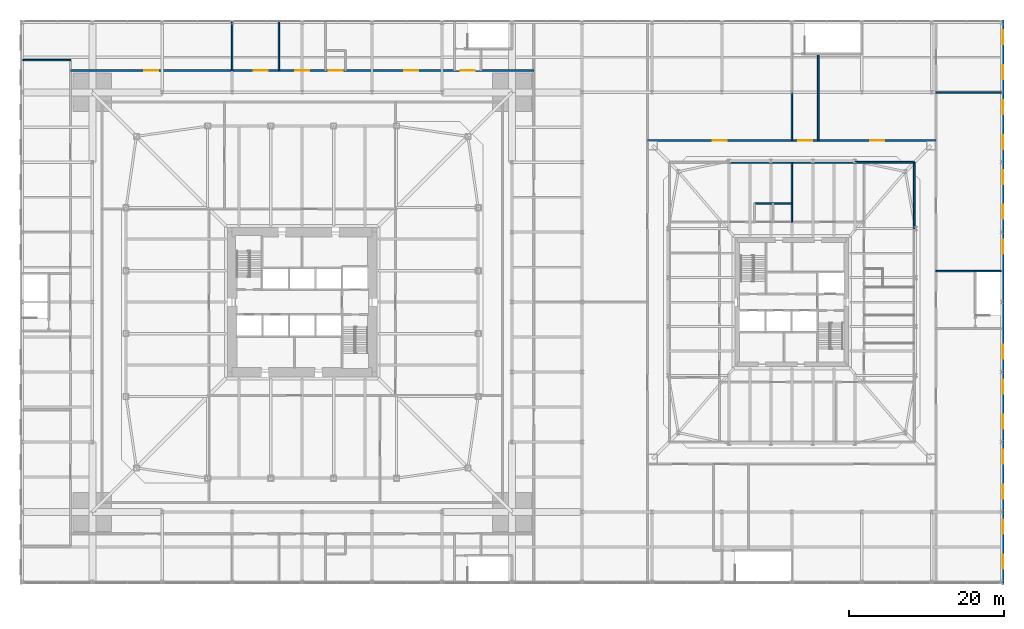
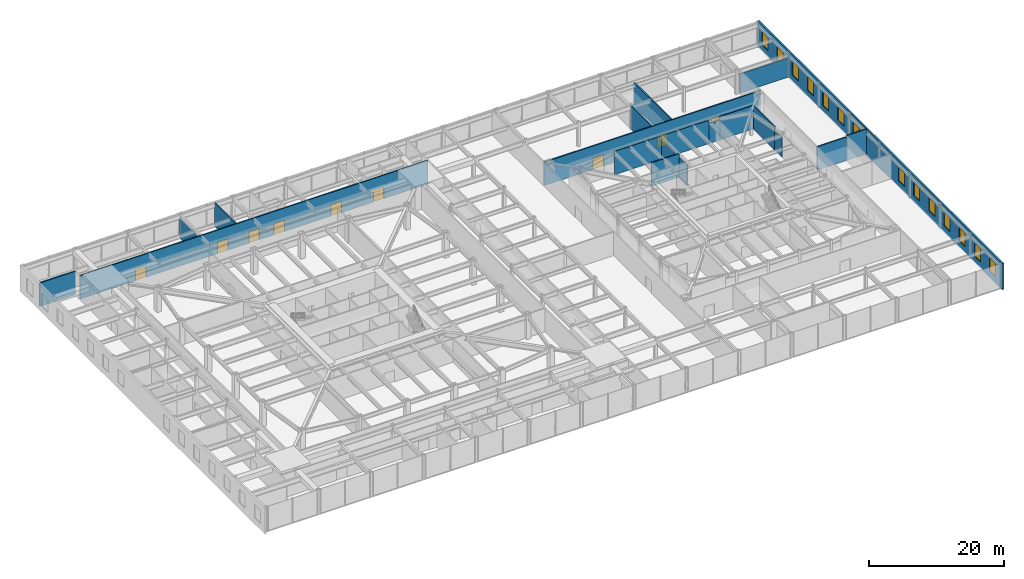
# One storey, part 26 of 30: 18 walls, 14 windows, 9 doors, 23 openings.
"""IFC4 building model written with IfcOpenShell, lengths in metres."""

from ifc_helpers import new_model, si_unit, direction, frame, frame_2d, origin, place, context, subcontext, project, spatial, rectangle, extrude, material, layer, layer_set, type_object, element, fill, save


model = new_model("IFC4")

# Units and contexts
model_context = context("Model", 3, precision=1e-05, world=origin(), true_north=direction((0.0, 1.0)))
body_context = subcontext(model_context, "Body", "Model", "MODEL_VIEW")
ifc_project = project(units=[si_unit("LENGTHUNIT", "METRE"), si_unit("AREAUNIT", "SQUARE_METRE"), si_unit("VOLUMEUNIT", "CUBIC_METRE"), si_unit("PLANEANGLEUNIT", "RADIAN"), si_unit("MASSUNIT", "GRAM", prefix="KILO")], contexts=[model_context])

# Site, building, storey
site_placement = place(None, origin())
site = spatial("IfcSite", under=ifc_project, at=site_placement, CompositionType="ELEMENT")
building_placement = place(site_placement, origin())
building = spatial("IfcBuilding", under=site, at=building_placement, Name="Iwan Alto Co-Living Towers", CompositionType="ELEMENT")
storey_placement = place(building_placement, frame((0.0, 0.0, 10.5)))
storey = spatial("IfcBuildingStorey", under=building, at=storey_placement, Name="L02", CompositionType="ELEMENT", Elevation=10.5)

# Wall, openings, windows
ifc_material_1 = material(Name="Fired clay brick facing", Category="masonry")
ifc_layer_1 = layer(ifc_material_1, 0.10009765625, Name="Brick facing", Category="Finish")
ifc_material_2 = material(Name="Concrete f'c 70 MPa", Category="concrete")
ifc_layer_2 = layer(ifc_material_2, 0.199951171875, Name="Reinforced concrete", Category="LoadBearing")
ifc_layer_set_1 = layer_set([ifc_layer_1, ifc_layer_2], Name="PODIUM BRICK WALL 300")
wall_type_1 = type_object("IfcWallType", Name="PODIUM BRICK WALL 300", PredefinedType="SOLIDWALL", material=ifc_layer_set_1)
wall_1_placement = place(storey_placement, frame((90.14990234375, -36.300048828125, -0.25), z_axis=(0.0, 0.0, 1.0), x_axis=(0.0, 1.0, 0.0)))
wall_1 = element("IfcWall", 1, at=wall_1_placement, inside=storey, type_object=wall_type_1, Name="Podium wall E L02", PredefinedType="SOLIDWALL", context=body_context, shape_type="SweptSolid", body=[
    extrude(rectangle(XDim=72.60009765625, YDim=0.300048828125, at=frame_2d((36.300048828125, 0.0))), origin(), (0.0, 0.0, 1.0), 4.75),
])
opening_1_placement = place(wall_1_placement, frame((2.0, 0.0, 1.14990234375)))
opening_1 = element("IfcOpeningElement", 2, at=opening_1_placement, cuts=wall_1, Name="Opening WN1", PredefinedType="OPENING", context=body_context, shape_type="SweptSolid", body=[
    extrude(rectangle(XDim=1.800048828125, YDim=2.39990234375, at=frame_2d((0.89990234375, 1.199951171875))), frame((0.0, 0.159912109375, 0.0), z_axis=(0.0, -1.0, 0.0), x_axis=(1.0, 0.0, 0.0)), (0.0, 0.0, 1.0), 0.320068359375),
])
opening_2_placement = place(wall_1_placement, frame((6.5, 0.0, 1.14990234375)))
opening_2 = element("IfcOpeningElement", 3, at=opening_2_placement, cuts=wall_1, Name="Opening WN1", PredefinedType="OPENING", context=body_context, shape_type="SweptSolid", body=[
    extrude(rectangle(XDim=1.800048828125, YDim=2.39990234375, at=frame_2d((0.89990234375, 1.199951171875))), frame((0.0, 0.159912109375, 0.0), z_axis=(0.0, -1.0, 0.0), x_axis=(1.0, 0.0, 0.0)), (0.0, 0.0, 1.0), 0.320068359375),
])
opening_3_placement = place(wall_1_placement, frame((11.0, 0.0, 1.14990234375)))
opening_3 = element("IfcOpeningElement", 4, at=opening_3_placement, cuts=wall_1, Name="Opening WN1", PredefinedType="OPENING", context=body_context, shape_type="SweptSolid", body=[
    extrude(rectangle(XDim=1.800048828125, YDim=2.39990234375, at=frame_2d((0.89990234375, 1.199951171875))), frame((0.0, 0.159912109375, 0.0), z_axis=(0.0, -1.0, 0.0), x_axis=(1.0, 0.0, 0.0)), (0.0, 0.0, 1.0), 0.320068359375),
])
opening_4_placement = place(wall_1_placement, frame((15.5, 0.0, 1.14990234375)))
opening_4 = element("IfcOpeningElement", 5, at=opening_4_placement, cuts=wall_1, Name="Opening WN1", PredefinedType="OPENING", context=body_context, shape_type="SweptSolid", body=[
    extrude(rectangle(XDim=1.800048828125, YDim=2.39990234375, at=frame_2d((0.89990234375, 1.199951171875))), frame((0.0, 0.159912109375, 0.0), z_axis=(0.0, -1.0, 0.0), x_axis=(1.0, 0.0, 0.0)), (0.0, 0.0, 1.0), 0.320068359375),
])
opening_5_placement = place(wall_1_placement, frame((20.0, 0.0, 1.14990234375)))
opening_5 = element("IfcOpeningElement", 6, at=opening_5_placement, cuts=wall_1, Name="Opening WN1", PredefinedType="OPENING", context=body_context, shape_type="SweptSolid", body=[
    extrude(rectangle(XDim=1.800048828125, YDim=2.39990234375, at=frame_2d((0.89990234375, 1.199951171875))), frame((0.0, 0.159912109375, 0.0), z_axis=(0.0, -1.0, 0.0), x_axis=(1.0, 0.0, 0.0)), (0.0, 0.0, 1.0), 0.320068359375),
])
opening_6_placement = place(wall_1_placement, frame((24.5, 0.0, 1.14990234375)))
opening_6 = element("IfcOpeningElement", 7, at=opening_6_placement, cuts=wall_1, Name="Opening WN1", PredefinedType="OPENING", context=body_context, shape_type="SweptSolid", body=[
    extrude(rectangle(XDim=1.800048828125, YDim=2.39990234375, at=frame_2d((0.89990234375, 1.199951171875))), frame((0.0, 0.159912109375, 0.0), z_axis=(0.0, -1.0, 0.0), x_axis=(1.0, 0.0, 0.0)), (0.0, 0.0, 1.0), 0.320068359375),
])
opening_7_placement = place(wall_1_placement, frame((29.0, 0.0, 1.14990234375)))
opening_7 = element("IfcOpeningElement", 8, at=opening_7_placement, cuts=wall_1, Name="Opening WN1", PredefinedType="OPENING", context=body_context, shape_type="SweptSolid", body=[
    extrude(rectangle(XDim=1.800048828125, YDim=2.39990234375, at=frame_2d((0.89990234375, 1.199951171875))), frame((0.0, 0.159912109375, 0.0), z_axis=(0.0, -1.0, 0.0), x_axis=(1.0, 0.0, 0.0)), (0.0, 0.0, 1.0), 0.320068359375),
])
opening_8_placement = place(wall_1_placement, frame((42.5, 0.0, 1.14990234375)))
opening_8 = element("IfcOpeningElement", 9, at=opening_8_placement, cuts=wall_1, Name="Opening WN1", PredefinedType="OPENING", context=body_context, shape_type="SweptSolid", body=[
    extrude(rectangle(XDim=1.800048828125, YDim=2.39990234375, at=frame_2d((0.89990234375, 1.199951171875))), frame((0.0, 0.159912109375, 0.0), z_axis=(0.0, -1.0, 0.0), x_axis=(1.0, 0.0, 0.0)), (0.0, 0.0, 1.0), 0.320068359375),
])
opening_9_placement = place(wall_1_placement, frame((47.0, 0.0, 1.14990234375)))
opening_9 = element("IfcOpeningElement", 10, at=opening_9_placement, cuts=wall_1, Name="Opening WN1", PredefinedType="OPENING", context=body_context, shape_type="SweptSolid", body=[
    extrude(rectangle(XDim=1.800048828125, YDim=2.39990234375, at=frame_2d((0.89990234375, 1.199951171875))), frame((0.0, 0.159912109375, 0.0), z_axis=(0.0, -1.0, 0.0), x_axis=(1.0, 0.0, 0.0)), (0.0, 0.0, 1.0), 0.320068359375),
])
opening_10_placement = place(wall_1_placement, frame((51.5, 0.0, 1.14990234375)))
opening_10 = element("IfcOpeningElement", 11, at=opening_10_placement, cuts=wall_1, Name="Opening WN1", PredefinedType="OPENING", context=body_context, shape_type="SweptSolid", body=[
    extrude(rectangle(XDim=1.800048828125, YDim=2.39990234375, at=frame_2d((0.89990234375, 1.199951171875))), frame((0.0, 0.159912109375, 0.0), z_axis=(0.0, -1.0, 0.0), x_axis=(1.0, 0.0, 0.0)), (0.0, 0.0, 1.0), 0.320068359375),
])
opening_11_placement = place(wall_1_placement, frame((56.0, 0.0, 1.14990234375)))
opening_11 = element("IfcOpeningElement", 12, at=opening_11_placement, cuts=wall_1, Name="Opening WN1", PredefinedType="OPENING", context=body_context, shape_type="SweptSolid", body=[
    extrude(rectangle(XDim=1.800048828125, YDim=2.39990234375, at=frame_2d((0.89990234375, 1.199951171875))), frame((0.0, 0.159912109375, 0.0), z_axis=(0.0, -1.0, 0.0), x_axis=(1.0, 0.0, 0.0)), (0.0, 0.0, 1.0), 0.320068359375),
])
opening_12_placement = place(wall_1_placement, frame((60.5, 0.0, 1.14990234375)))
opening_12 = element("IfcOpeningElement", 13, at=opening_12_placement, cuts=wall_1, Name="Opening WN1", PredefinedType="OPENING", context=body_context, shape_type="SweptSolid", body=[
    extrude(rectangle(XDim=1.800048828125, YDim=2.39990234375, at=frame_2d((0.89990234375, 1.199951171875))), frame((0.0, 0.159912109375, 0.0), z_axis=(0.0, -1.0, 0.0), x_axis=(1.0, 0.0, 0.0)), (0.0, 0.0, 1.0), 0.320068359375),
])
opening_13_placement = place(wall_1_placement, frame((65.0, 0.0, 1.14990234375)))
opening_13 = element("IfcOpeningElement", 14, at=opening_13_placement, cuts=wall_1, Name="Opening WN1", PredefinedType="OPENING", context=body_context, shape_type="SweptSolid", body=[
    extrude(rectangle(XDim=1.800048828125, YDim=2.39990234375, at=frame_2d((0.89990234375, 1.199951171875))), frame((0.0, 0.159912109375, 0.0), z_axis=(0.0, -1.0, 0.0), x_axis=(1.0, 0.0, 0.0)), (0.0, 0.0, 1.0), 0.320068359375),
])
opening_14_placement = place(wall_1_placement, frame((69.5, 0.0, 1.14990234375)))
opening_14 = element("IfcOpeningElement", 15, at=opening_14_placement, cuts=wall_1, Name="Opening WN1", PredefinedType="OPENING", context=body_context, shape_type="SweptSolid", body=[
    extrude(rectangle(XDim=1.800048828125, YDim=2.39990234375, at=frame_2d((0.89990234375, 1.199951171875))), frame((0.0, 0.159912109375, 0.0), z_axis=(0.0, -1.0, 0.0), x_axis=(1.0, 0.0, 0.0)), (0.0, 0.0, 1.0), 0.320068359375),
])
ifc_material_3 = material(Name="Bronze aluminium window frame", Category="aluminium")
window_type = type_object("IfcWindowType", Name="WN1 PODIUM WINDOW 1800X2400", PartitioningType="SINGLE_PANEL", PredefinedType="WINDOW", material=ifc_material_3)
window_1_placement = place(opening_1_placement, origin())
window_1 = element("IfcWindow", 16, at=window_1_placement, inside=storey, type_object=window_type, Name="Podium window", OverallHeight=2.39990234375, OverallWidth=1.800048828125, PartitioningType="SINGLE_PANEL", PredefinedType="WINDOW", context=body_context, shape_type="SweptSolid", body=[
    extrude(rectangle(XDim=1.800048828125, YDim=2.39990234375, at=frame_2d((0.89990234375, 1.199951171875))), frame((0.0, 0.030029296875, 0.0), z_axis=(0.0, -1.0, 0.0), x_axis=(1.0, 0.0, 0.0)), (0.0, 0.0, 1.0), 0.06005859375),
])
fill(opening_1, window_1)
window_2_placement = place(opening_2_placement, origin())
window_2 = element("IfcWindow", 17, at=window_2_placement, inside=storey, type_object=window_type, Name="Podium window", OverallHeight=2.39990234375, OverallWidth=1.800048828125, PartitioningType="SINGLE_PANEL", PredefinedType="WINDOW", context=body_context, shape_type="SweptSolid", body=[
    extrude(rectangle(XDim=1.800048828125, YDim=2.39990234375, at=frame_2d((0.89990234375, 1.199951171875))), frame((0.0, 0.030029296875, 0.0), z_axis=(0.0, -1.0, 0.0), x_axis=(1.0, 0.0, 0.0)), (0.0, 0.0, 1.0), 0.06005859375),
])
fill(opening_2, window_2)
window_3_placement = place(opening_3_placement, origin())
window_3 = element("IfcWindow", 18, at=window_3_placement, inside=storey, type_object=window_type, Name="Podium window", OverallHeight=2.39990234375, OverallWidth=1.800048828125, PartitioningType="SINGLE_PANEL", PredefinedType="WINDOW", context=body_context, shape_type="SweptSolid", body=[
    extrude(rectangle(XDim=1.800048828125, YDim=2.39990234375, at=frame_2d((0.89990234375, 1.199951171875))), frame((0.0, 0.030029296875, 0.0), z_axis=(0.0, -1.0, 0.0), x_axis=(1.0, 0.0, 0.0)), (0.0, 0.0, 1.0), 0.06005859375),
])
fill(opening_3, window_3)
window_4_placement = place(opening_4_placement, origin())
window_4 = element("IfcWindow", 19, at=window_4_placement, inside=storey, type_object=window_type, Name="Podium window", OverallHeight=2.39990234375, OverallWidth=1.800048828125, PartitioningType="SINGLE_PANEL", PredefinedType="WINDOW", context=body_context, shape_type="SweptSolid", body=[
    extrude(rectangle(XDim=1.800048828125, YDim=2.39990234375, at=frame_2d((0.89990234375, 1.199951171875))), frame((0.0, 0.030029296875, 0.0), z_axis=(0.0, -1.0, 0.0), x_axis=(1.0, 0.0, 0.0)), (0.0, 0.0, 1.0), 0.06005859375),
])
fill(opening_4, window_4)
window_5_placement = place(opening_5_placement, origin())
window_5 = element("IfcWindow", 20, at=window_5_placement, inside=storey, type_object=window_type, Name="Podium window", OverallHeight=2.39990234375, OverallWidth=1.800048828125, PartitioningType="SINGLE_PANEL", PredefinedType="WINDOW", context=body_context, shape_type="SweptSolid", body=[
    extrude(rectangle(XDim=1.800048828125, YDim=2.39990234375, at=frame_2d((0.89990234375, 1.199951171875))), frame((0.0, 0.030029296875, 0.0), z_axis=(0.0, -1.0, 0.0), x_axis=(1.0, 0.0, 0.0)), (0.0, 0.0, 1.0), 0.06005859375),
])
fill(opening_5, window_5)
window_6_placement = place(opening_6_placement, origin())
window_6 = element("IfcWindow", 21, at=window_6_placement, inside=storey, type_object=window_type, Name="Podium window", OverallHeight=2.39990234375, OverallWidth=1.800048828125, PartitioningType="SINGLE_PANEL", PredefinedType="WINDOW", context=body_context, shape_type="SweptSolid", body=[
    extrude(rectangle(XDim=1.800048828125, YDim=2.39990234375, at=frame_2d((0.89990234375, 1.199951171875))), frame((0.0, 0.030029296875, 0.0), z_axis=(0.0, -1.0, 0.0), x_axis=(1.0, 0.0, 0.0)), (0.0, 0.0, 1.0), 0.06005859375),
])
fill(opening_6, window_6)
window_7_placement = place(opening_7_placement, origin())
window_7 = element("IfcWindow", 22, at=window_7_placement, inside=storey, type_object=window_type, Name="Podium window", OverallHeight=2.39990234375, OverallWidth=1.800048828125, PartitioningType="SINGLE_PANEL", PredefinedType="WINDOW", context=body_context, shape_type="SweptSolid", body=[
    extrude(rectangle(XDim=1.800048828125, YDim=2.39990234375, at=frame_2d((0.89990234375, 1.199951171875))), frame((0.0, 0.030029296875, 0.0), z_axis=(0.0, -1.0, 0.0), x_axis=(1.0, 0.0, 0.0)), (0.0, 0.0, 1.0), 0.06005859375),
])
fill(opening_7, window_7)
window_8_placement = place(opening_8_placement, origin())
window_8 = element("IfcWindow", 23, at=window_8_placement, inside=storey, type_object=window_type, Name="Podium window", OverallHeight=2.39990234375, OverallWidth=1.800048828125, PartitioningType="SINGLE_PANEL", PredefinedType="WINDOW", context=body_context, shape_type="SweptSolid", body=[
    extrude(rectangle(XDim=1.800048828125, YDim=2.39990234375, at=frame_2d((0.89990234375, 1.199951171875))), frame((0.0, 0.030029296875, 0.0), z_axis=(0.0, -1.0, 0.0), x_axis=(1.0, 0.0, 0.0)), (0.0, 0.0, 1.0), 0.06005859375),
])
fill(opening_8, window_8)
window_9_placement = place(opening_9_placement, origin())
window_9 = element("IfcWindow", 24, at=window_9_placement, inside=storey, type_object=window_type, Name="Podium window", OverallHeight=2.39990234375, OverallWidth=1.800048828125, PartitioningType="SINGLE_PANEL", PredefinedType="WINDOW", context=body_context, shape_type="SweptSolid", body=[
    extrude(rectangle(XDim=1.800048828125, YDim=2.39990234375, at=frame_2d((0.89990234375, 1.199951171875))), frame((0.0, 0.030029296875, 0.0), z_axis=(0.0, -1.0, 0.0), x_axis=(1.0, 0.0, 0.0)), (0.0, 0.0, 1.0), 0.06005859375),
])
fill(opening_9, window_9)
window_10_placement = place(opening_10_placement, origin())
window_10 = element("IfcWindow", 25, at=window_10_placement, inside=storey, type_object=window_type, Name="Podium window", OverallHeight=2.39990234375, OverallWidth=1.800048828125, PartitioningType="SINGLE_PANEL", PredefinedType="WINDOW", context=body_context, shape_type="SweptSolid", body=[
    extrude(rectangle(XDim=1.800048828125, YDim=2.39990234375, at=frame_2d((0.89990234375, 1.199951171875))), frame((0.0, 0.030029296875, 0.0), z_axis=(0.0, -1.0, 0.0), x_axis=(1.0, 0.0, 0.0)), (0.0, 0.0, 1.0), 0.06005859375),
])
fill(opening_10, window_10)
window_11_placement = place(opening_11_placement, origin())
window_11 = element("IfcWindow", 26, at=window_11_placement, inside=storey, type_object=window_type, Name="Podium window", OverallHeight=2.39990234375, OverallWidth=1.800048828125, PartitioningType="SINGLE_PANEL", PredefinedType="WINDOW", context=body_context, shape_type="SweptSolid", body=[
    extrude(rectangle(XDim=1.800048828125, YDim=2.39990234375, at=frame_2d((0.89990234375, 1.199951171875))), frame((0.0, 0.030029296875, 0.0), z_axis=(0.0, -1.0, 0.0), x_axis=(1.0, 0.0, 0.0)), (0.0, 0.0, 1.0), 0.06005859375),
])
fill(opening_11, window_11)
window_12_placement = place(opening_12_placement, origin())
window_12 = element("IfcWindow", 27, at=window_12_placement, inside=storey, type_object=window_type, Name="Podium window", OverallHeight=2.39990234375, OverallWidth=1.800048828125, PartitioningType="SINGLE_PANEL", PredefinedType="WINDOW", context=body_context, shape_type="SweptSolid", body=[
    extrude(rectangle(XDim=1.800048828125, YDim=2.39990234375, at=frame_2d((0.89990234375, 1.199951171875))), frame((0.0, 0.030029296875, 0.0), z_axis=(0.0, -1.0, 0.0), x_axis=(1.0, 0.0, 0.0)), (0.0, 0.0, 1.0), 0.06005859375),
])
fill(opening_12, window_12)
window_13_placement = place(opening_13_placement, origin())
window_13 = element("IfcWindow", 28, at=window_13_placement, inside=storey, type_object=window_type, Name="Podium window", OverallHeight=2.39990234375, OverallWidth=1.800048828125, PartitioningType="SINGLE_PANEL", PredefinedType="WINDOW", context=body_context, shape_type="SweptSolid", body=[
    extrude(rectangle(XDim=1.800048828125, YDim=2.39990234375, at=frame_2d((0.89990234375, 1.199951171875))), frame((0.0, 0.030029296875, 0.0), z_axis=(0.0, -1.0, 0.0), x_axis=(1.0, 0.0, 0.0)), (0.0, 0.0, 1.0), 0.06005859375),
])
fill(opening_13, window_13)
window_14_placement = place(opening_14_placement, origin())
window_14 = element("IfcWindow", 29, at=window_14_placement, inside=storey, type_object=window_type, Name="Podium window", OverallHeight=2.39990234375, OverallWidth=1.800048828125, PartitioningType="SINGLE_PANEL", PredefinedType="WINDOW", context=body_context, shape_type="SweptSolid", body=[
    extrude(rectangle(XDim=1.800048828125, YDim=2.39990234375, at=frame_2d((0.89990234375, 1.199951171875))), frame((0.0, 0.030029296875, 0.0), z_axis=(0.0, -1.0, 0.0), x_axis=(1.0, 0.0, 0.0)), (0.0, 0.0, 1.0), 0.06005859375),
])
fill(opening_14, window_14)

# Walls
ifc_material_4 = material(Name="Concrete block masonry f*p 10 MPa", Category="masonry")
ifc_layer_3 = layer(ifc_material_4, 0.199951171875)
ifc_layer_set_2 = layer_set([ifc_layer_3], Name="PODIUM INTERNAL WALL 200")
wall_type_2 = type_object("IfcWallType", Name="PODIUM INTERNAL WALL 200", PredefinedType="SOLIDWALL", material=ifc_layer_set_2)
wall_2_placement = place(storey_placement, frame((81.550048828125, 4.0, 0.0), z_axis=(0.0, 0.0, 1.0), x_axis=(1.0, 0.0, 0.0)))
element("IfcWall", 30, at=wall_2_placement, inside=storey, type_object=wall_type_2, Name="Partition L02", PredefinedType="SOLIDWALL", context=body_context, shape_type="SweptSolid", body=[
    extrude(rectangle(XDim=5.050048828125, YDim=0.199951171875, at=frame_2d((2.52490234375, 0.0))), origin(), (0.0, 0.0, 1.0), 4.25),
])
wall_3_placement = place(storey_placement, frame((58.199951171875, 12.699951171875, 0.0), z_axis=(0.0, 0.0, 1.0), x_axis=(1.0, 0.0, 0.0)))
element("IfcWall", 31, at=wall_3_placement, inside=storey, type_object=wall_type_2, Name="Partition L02", PredefinedType="SOLIDWALL", context=body_context, shape_type="SweptSolid", body=[
    extrude(rectangle(XDim=4.800048828125, YDim=0.199951171875, at=frame_2d((2.39990234375, 0.0))), origin(), (0.0, 0.0, 1.0), 4.25),
])

# Wall, openings, doors
wall_4_placement = place(storey_placement, frame((44.449951171875, 20.800048828125, 0.0), z_axis=(0.0, 0.0, 1.0), x_axis=(1.0, 0.0, 0.0)))
wall_4 = element("IfcWall", 32, at=wall_4_placement, inside=storey, type_object=wall_type_2, Name="Partition L02", PredefinedType="SOLIDWALL", context=body_context, shape_type="SweptSolid", body=[
    extrude(rectangle(XDim=37.10009765625, YDim=0.199951171875, at=frame_2d((18.550048828125, 0.0))), origin(), (0.0, 0.0, 1.0), 4.25),
])
opening_15_placement = place(wall_4_placement, frame((8.375, 0.0, 0.0)))
opening_15 = element("IfcOpeningElement", 33, at=opening_15_placement, cuts=wall_4, Name="Opening D9", PredefinedType="OPENING", context=body_context, shape_type="SweptSolid", body=[
    extrude(rectangle(XDim=1.800048828125, YDim=2.10009765625, at=frame_2d((0.89990234375, 1.050048828125))), frame((0.0, 0.10986328125, 0.0), z_axis=(0.0, -1.0, 0.0), x_axis=(1.0, 0.0, 0.0)), (0.0, 0.0, 1.0), 0.219970703125),
])
opening_16_placement = place(wall_4_placement, frame((28.625, 0.0, 0.0)))
opening_16 = element("IfcOpeningElement", 34, at=opening_16_placement, cuts=wall_4, Name="Opening D9", PredefinedType="OPENING", context=body_context, shape_type="SweptSolid", body=[
    extrude(rectangle(XDim=1.800048828125, YDim=2.10009765625, at=frame_2d((0.89990234375, 1.050048828125))), frame((0.0, 0.10986328125, 0.0), z_axis=(0.0, -1.0, 0.0), x_axis=(1.0, 0.0, 0.0)), (0.0, 0.0, 1.0), 0.219970703125),
])
opening_17_placement = place(wall_4_placement, frame((19.35009765625, 0.0, 0.0)))
opening_17 = element("IfcOpeningElement", 35, at=opening_17_placement, cuts=wall_4, Name="Opening D9", PredefinedType="OPENING", context=body_context, shape_type="SweptSolid", body=[
    extrude(rectangle(XDim=1.800048828125, YDim=2.10009765625, at=frame_2d((0.89990234375, 1.050048828125))), frame((0.0, 0.10986328125, 0.0), z_axis=(0.0, -1.0, 0.0), x_axis=(1.0, 0.0, 0.0)), (0.0, 0.0, 1.0), 0.219970703125),
])
ifc_material_5 = material(Name="Steel frame with timber leaf", Category="steel")
door_type = type_object("IfcDoorType", Name="LOUNGE DOOR FD30S 1800X2100", OperationType="DOUBLE_DOOR_SINGLE_SWING", PredefinedType="DOOR", material=ifc_material_5)
door_1_placement = place(opening_15_placement, origin())
door_1 = element("IfcDoor", 36, at=door_1_placement, inside=storey, type_object=door_type, Name="Residents' dining room door L02", OperationType="DOUBLE_DOOR_SINGLE_SWING", OverallHeight=2.10009765625, OverallWidth=1.800048828125, PredefinedType="DOOR", context=body_context, shape_type="SweptSolid", body=[
    extrude(rectangle(XDim=1.800048828125, YDim=2.10009765625, at=frame_2d((0.89990234375, 1.050048828125))), frame((0.0, 0.02490234375, 0.0), z_axis=(0.0, -1.0, 0.0), x_axis=(1.0, 0.0, 0.0)), (0.0, 0.0, 1.0), 0.050048828125),
])
fill(opening_15, door_1)
door_2_placement = place(opening_16_placement, origin())
door_2 = element("IfcDoor", 37, at=door_2_placement, inside=storey, type_object=door_type, Name="Gym door L02", OperationType="DOUBLE_DOOR_SINGLE_SWING", OverallHeight=2.10009765625, OverallWidth=1.800048828125, PredefinedType="DOOR", context=body_context, shape_type="SweptSolid", body=[
    extrude(rectangle(XDim=1.800048828125, YDim=2.10009765625, at=frame_2d((0.89990234375, 1.050048828125))), frame((0.0, 0.02490234375, 0.0), z_axis=(0.0, -1.0, 0.0), x_axis=(1.0, 0.0, 0.0)), (0.0, 0.0, 1.0), 0.050048828125),
])
fill(opening_16, door_2)
door_3_placement = place(opening_17_placement, origin())
door_3 = element("IfcDoor", 38, at=door_3_placement, inside=storey, type_object=door_type, Name="Stair lobby door L02", OperationType="DOUBLE_DOOR_SINGLE_SWING", OverallHeight=2.10009765625, OverallWidth=1.800048828125, PredefinedType="DOOR", context=body_context, shape_type="SweptSolid", body=[
    extrude(rectangle(XDim=1.800048828125, YDim=2.10009765625, at=frame_2d((0.89990234375, 1.050048828125))), frame((0.0, 0.02490234375, 0.0), z_axis=(0.0, -1.0, 0.0), x_axis=(1.0, 0.0, 0.0)), (0.0, 0.0, 1.0), 0.050048828125),
])
fill(opening_17, door_3)

# Wall
wall_5_placement = place(storey_placement, frame((81.550048828125, 27.0, 0.0), z_axis=(0.0, 0.0, 1.0), x_axis=(1.0, 0.0, 0.0)))
element("IfcWall", 39, at=wall_5_placement, inside=storey, type_object=wall_type_2, Name="Partition L02", PredefinedType="SOLIDWALL", context=body_context, shape_type="SweptSolid", body=[
    extrude(rectangle(XDim=8.389892578125, YDim=0.199951171875, at=frame_2d((4.19482421875, 0.0))), origin(), (0.0, 0.0, 1.0), 3.48046875),
])

# Wall, openings, doors
wall_6_placement = place(storey_placement, frame((-29.800048828125, 29.800048828125, 0.0), z_axis=(0.0, 0.0, 1.0), x_axis=(1.0, 0.0, 0.0)))
wall_6 = element("IfcWall", 40, at=wall_6_placement, inside=storey, type_object=wall_type_2, Name="Partition L02", PredefinedType="SOLIDWALL", context=body_context, shape_type="SweptSolid", body=[
    extrude(rectangle(XDim=59.60009765625, YDim=0.199951171875, at=frame_2d((29.800048828125, 0.0))), origin(), (0.0, 0.0, 1.0), 4.25),
])
opening_18_placement = place(wall_6_placement, frame((9.5, 0.0, 0.0)))
opening_18 = element("IfcOpeningElement", 41, at=opening_18_placement, cuts=wall_6, Name="Opening D9", PredefinedType="OPENING", context=body_context, shape_type="SweptSolid", body=[
    extrude(rectangle(XDim=1.800048828125, YDim=2.10009765625, at=frame_2d((0.89990234375, 1.050048828125))), frame((0.0, 0.10986328125, 0.0), z_axis=(0.0, -1.0, 0.0), x_axis=(1.0, 0.0, 0.0)), (0.0, 0.0, 1.0), 0.219970703125),
])
opening_19_placement = place(wall_6_placement, frame((23.550048828125, 0.0, 0.0)))
opening_19 = element("IfcOpeningElement", 42, at=opening_19_placement, cuts=wall_6, Name="Opening D9", PredefinedType="OPENING", context=body_context, shape_type="SweptSolid", body=[
    extrude(rectangle(XDim=1.800048828125, YDim=2.10009765625, at=frame_2d((0.89990234375, 1.050048828125))), frame((0.0, 0.10986328125, 0.0), z_axis=(0.0, -1.0, 0.0), x_axis=(1.0, 0.0, 0.0)), (0.0, 0.0, 1.0), 0.219970703125),
])
opening_20_placement = place(wall_6_placement, frame((28.89990234375, 0.0, 0.0)))
opening_20 = element("IfcOpeningElement", 43, at=opening_20_placement, cuts=wall_6, Name="Opening D9", PredefinedType="OPENING", context=body_context, shape_type="SweptSolid", body=[
    extrude(rectangle(XDim=1.800048828125, YDim=2.10009765625, at=frame_2d((0.89990234375, 1.050048828125))), frame((0.0, 0.10986328125, 0.0), z_axis=(0.0, -1.0, 0.0), x_axis=(1.0, 0.0, 0.0)), (0.0, 0.0, 1.0), 0.219970703125),
])
opening_21_placement = place(wall_6_placement, frame((33.199951171875, 0.0, 0.0)))
opening_21 = element("IfcOpeningElement", 44, at=opening_21_placement, cuts=wall_6, Name="Opening D9", PredefinedType="OPENING", context=body_context, shape_type="SweptSolid", body=[
    extrude(rectangle(XDim=1.800048828125, YDim=2.10009765625, at=frame_2d((0.89990234375, 1.050048828125))), frame((0.0, 0.10986328125, 0.0), z_axis=(0.0, -1.0, 0.0), x_axis=(1.0, 0.0, 0.0)), (0.0, 0.0, 1.0), 0.219970703125),
])
opening_22_placement = place(wall_6_placement, frame((42.949951171875, 0.0, 0.0)))
opening_22 = element("IfcOpeningElement", 45, at=opening_22_placement, cuts=wall_6, Name="Opening D9", PredefinedType="OPENING", context=body_context, shape_type="SweptSolid", body=[
    extrude(rectangle(XDim=1.800048828125, YDim=2.10009765625, at=frame_2d((0.89990234375, 1.050048828125))), frame((0.0, 0.10986328125, 0.0), z_axis=(0.0, -1.0, 0.0), x_axis=(1.0, 0.0, 0.0)), (0.0, 0.0, 1.0), 0.219970703125),
])
opening_23_placement = place(wall_6_placement, frame((50.199951171875, 0.0, 0.0)))
opening_23 = element("IfcOpeningElement", 46, at=opening_23_placement, cuts=wall_6, Name="Opening D9", PredefinedType="OPENING", context=body_context, shape_type="SweptSolid", body=[
    extrude(rectangle(XDim=1.800048828125, YDim=2.10009765625, at=frame_2d((0.89990234375, 1.050048828125))), frame((0.0, 0.10986328125, 0.0), z_axis=(0.0, -1.0, 0.0), x_axis=(1.0, 0.0, 0.0)), (0.0, 0.0, 1.0), 0.219970703125),
])
door_4_placement = place(opening_18_placement, origin())
door_4 = element("IfcDoor", 47, at=door_4_placement, inside=storey, type_object=door_type, Name="Seminar room door L02", OperationType="DOUBLE_DOOR_SINGLE_SWING", OverallHeight=2.10009765625, OverallWidth=1.800048828125, PredefinedType="DOOR", context=body_context, shape_type="SweptSolid", body=[
    extrude(rectangle(XDim=1.800048828125, YDim=2.10009765625, at=frame_2d((0.89990234375, 1.050048828125))), frame((0.0, 0.02490234375, 0.0), z_axis=(0.0, -1.0, 0.0), x_axis=(1.0, 0.0, 0.0)), (0.0, 0.0, 1.0), 0.050048828125),
])
fill(opening_18, door_4)
door_5_placement = place(opening_19_placement, origin())
door_5 = element("IfcDoor", 48, at=door_5_placement, inside=storey, type_object=door_type, Name="Women's toilets door L02", OperationType="DOUBLE_DOOR_SINGLE_SWING", OverallHeight=2.10009765625, OverallWidth=1.800048828125, PredefinedType="DOOR", context=body_context, shape_type="SweptSolid", body=[
    extrude(rectangle(XDim=1.800048828125, YDim=2.10009765625, at=frame_2d((0.89990234375, 1.050048828125))), frame((0.0, 0.02490234375, 0.0), z_axis=(0.0, -1.0, 0.0), x_axis=(1.0, 0.0, 0.0)), (0.0, 0.0, 1.0), 0.050048828125),
])
fill(opening_19, door_5)
door_6_placement = place(opening_20_placement, origin())
door_6 = element("IfcDoor", 49, at=door_6_placement, inside=storey, type_object=door_type, Name="Men's toilets door L02", OperationType="DOUBLE_DOOR_SINGLE_SWING", OverallHeight=2.10009765625, OverallWidth=1.800048828125, PredefinedType="DOOR", context=body_context, shape_type="SweptSolid", body=[
    extrude(rectangle(XDim=1.800048828125, YDim=2.10009765625, at=frame_2d((0.89990234375, 1.050048828125))), frame((0.0, 0.02490234375, 0.0), z_axis=(0.0, -1.0, 0.0), x_axis=(1.0, 0.0, 0.0)), (0.0, 0.0, 1.0), 0.050048828125),
])
fill(opening_20, door_6)
door_7_placement = place(opening_21_placement, origin())
door_7 = element("IfcDoor", 50, at=door_7_placement, inside=storey, type_object=door_type, Name="Accessible WC door L02", OperationType="DOUBLE_DOOR_SINGLE_SWING", OverallHeight=2.10009765625, OverallWidth=1.800048828125, PredefinedType="DOOR", context=body_context, shape_type="SweptSolid", body=[
    extrude(rectangle(XDim=1.800048828125, YDim=2.10009765625, at=frame_2d((0.89990234375, 1.050048828125))), frame((0.0, 0.02490234375, 0.0), z_axis=(0.0, -1.0, 0.0), x_axis=(1.0, 0.0, 0.0)), (0.0, 0.0, 1.0), 0.050048828125),
])
fill(opening_21, door_7)
door_8_placement = place(opening_22_placement, origin())
door_8 = element("IfcDoor", 51, at=door_8_placement, inside=storey, type_object=door_type, Name="Media room door L02", OperationType="DOUBLE_DOOR_SINGLE_SWING", OverallHeight=2.10009765625, OverallWidth=1.800048828125, PredefinedType="DOOR", context=body_context, shape_type="SweptSolid", body=[
    extrude(rectangle(XDim=1.800048828125, YDim=2.10009765625, at=frame_2d((0.89990234375, 1.050048828125))), frame((0.0, 0.02490234375, 0.0), z_axis=(0.0, -1.0, 0.0), x_axis=(1.0, 0.0, 0.0)), (0.0, 0.0, 1.0), 0.050048828125),
])
fill(opening_22, door_8)
door_9_placement = place(opening_23_placement, origin())
door_9 = element("IfcDoor", 52, at=door_9_placement, inside=storey, type_object=door_type, Name="Stair lobby door L02", OperationType="DOUBLE_DOOR_SINGLE_SWING", OverallHeight=2.10009765625, OverallWidth=1.800048828125, PredefinedType="DOOR", context=body_context, shape_type="SweptSolid", body=[
    extrude(rectangle(XDim=1.800048828125, YDim=2.10009765625, at=frame_2d((0.89990234375, 1.050048828125))), frame((0.0, 0.02490234375, 0.0), z_axis=(0.0, -1.0, 0.0), x_axis=(1.0, 0.0, 0.0)), (0.0, 0.0, 1.0), 0.050048828125),
])
fill(opening_23, door_9)

# Walls
wall_7_placement = place(storey_placement, frame((-35.93994140625, 31.14990234375, 0.0), z_axis=(0.0, 0.0, 1.0), x_axis=(1.0, 0.0, 0.0)))
element("IfcWall", 53, at=wall_7_placement, inside=storey, type_object=wall_type_2, Name="Partition L02", PredefinedType="SOLIDWALL", context=body_context, shape_type="SweptSolid", body=[
    extrude(rectangle(XDim=6.139892578125, YDim=0.199951171875, at=frame_2d((3.06982421875, 0.0))), origin(), (0.0, 0.0, 1.0), 4.25),
])
wall_8_placement = place(storey_placement, frame((66.39990234375, 20.800048828125, 0.0), z_axis=(0.0, 0.0, 1.0), x_axis=(0.0, 1.0, 0.0)))
element("IfcWall", 54, at=wall_8_placement, inside=storey, type_object=wall_type_2, Name="Partition L02", PredefinedType="SOLIDWALL", context=body_context, shape_type="SweptSolid", body=[
    extrude(rectangle(XDim=11.159912109375, YDim=0.199951171875, at=frame_2d((5.580078125, 0.0))), origin(), (0.0, 0.0, 1.0), 4.25),
])
wall_9_placement = place(storey_placement, frame((63.0, 10.300048828125, 0.0), z_axis=(0.0, 0.0, 1.0), x_axis=(0.0, 1.0, 0.0)))
element("IfcWall", 55, at=wall_9_placement, inside=storey, type_object=wall_type_2, Name="Partition L02", PredefinedType="SOLIDWALL", context=body_context, shape_type="SweptSolid", body=[
    extrude(rectangle(XDim=7.699951171875, YDim=0.199951171875, at=frame_2d((3.85009765625, 0.0))), origin(), (0.0, 0.0, 1.0), 3.586669921875),
])
wall_10_placement = place(storey_placement, frame((63.0, 20.800048828125, 0.0), z_axis=(0.0, 0.0, 1.0), x_axis=(0.0, 1.0, 0.0)))
element("IfcWall", 56, at=wall_10_placement, inside=storey, type_object=wall_type_2, Name="Partition L02", PredefinedType="SOLIDWALL", context=body_context, shape_type="SweptSolid", body=[
    extrude(rectangle(XDim=6.199951171875, YDim=0.199951171875, at=frame_2d((3.10009765625, 0.0))), origin(), (0.0, 0.0, 1.0), 4.25),
])
wall_11_placement = place(storey_placement, frame((-3.0, 29.800048828125, 0.0), z_axis=(0.0, 0.0, 1.0), x_axis=(0.0, 1.0, 0.0)))
element("IfcWall", 57, at=wall_11_placement, inside=storey, type_object=wall_type_2, Name="Partition L02", PredefinedType="SOLIDWALL", context=body_context, shape_type="SweptSolid", body=[
    extrude(rectangle(XDim=6.25, YDim=0.199951171875, at=frame_2d((3.125, 0.0))), origin(), (0.0, 0.0, 1.0), 4.25),
])
wall_12_placement = place(storey_placement, frame((-9.0, 29.800048828125, 0.0), z_axis=(0.0, 0.0, 1.0), x_axis=(0.0, 1.0, 0.0)))
element("IfcWall", 58, at=wall_12_placement, inside=storey, type_object=wall_type_2, Name="Partition L02", PredefinedType="SOLIDWALL", context=body_context, shape_type="SweptSolid", body=[
    extrude(rectangle(XDim=6.25, YDim=0.199951171875, at=frame_2d((3.125, 0.0))), origin(), (0.0, 0.0, 1.0), 3.48046875),
])
wall_13_placement = place(storey_placement, frame((54.926025390625, 18.0, 0.0), z_axis=(0.0, 0.0, 1.0), x_axis=(1.0, 0.0, 0.0)))
element("IfcWall", 59, at=wall_13_placement, inside=storey, type_object=wall_type_2, Name="Partition L02", PredefinedType="SOLIDWALL", context=body_context, shape_type="SweptSolid", body=[
    extrude(rectangle(XDim=16.14794921875, YDim=0.199951171875, at=frame_2d((8.073974609375, 0.0))), origin(), (0.0, 0.0, 1.0), 4.25),
])
wall_14_placement = place(storey_placement, frame((71.073974609375, 18.0, 0.0), z_axis=(0.0, 0.0, 1.0), x_axis=(1.0, 0.0, 0.0)))
element("IfcWall", 60, at=wall_14_placement, inside=storey, type_object=wall_type_2, Name="Partition L02", PredefinedType="SOLIDWALL", context=body_context, shape_type="SweptSolid", body=[
    extrude(rectangle(XDim=1.85205078125, YDim=0.199951171875, at=frame_2d((0.926025390625, 0.0))), origin(), (0.0, 0.0, 1.0), 3.586669921875),
])
wall_15_placement = place(storey_placement, frame((72.926025390625, 18.0, 0.0), z_axis=(0.0, 0.0, 1.0), x_axis=(1.0, 0.0, 0.0)))
element("IfcWall", 61, at=wall_15_placement, inside=storey, type_object=wall_type_2, Name="Partition L02", PredefinedType="SOLIDWALL", context=body_context, shape_type="SweptSolid", body=[
    extrude(rectangle(XDim=5.823974609375, YDim=0.199951171875, at=frame_2d((2.912109375, 0.0))), origin(), (0.0, 0.0, 1.0), 4.25),
])
wall_16_placement = place(storey_placement, frame((78.75, 9.427978515625, 0.0), z_axis=(0.0, 0.0, 1.0), x_axis=(0.0, 1.0, 0.0)))
element("IfcWall", 62, at=wall_16_placement, inside=storey, type_object=wall_type_2, Name="Partition L02", PredefinedType="SOLIDWALL", context=body_context, shape_type="SweptSolid", body=[
    extrude(rectangle(XDim=2.174072265625, YDim=0.199951171875, at=frame_2d((1.0869140625, 0.0))), origin(), (0.0, 0.0, 1.0), 3.586669921875),
])
wall_17_placement = place(storey_placement, frame((78.75, 11.60205078125, 0.0), z_axis=(0.0, 0.0, 1.0), x_axis=(0.0, 1.0, 0.0)))
element("IfcWall", 63, at=wall_17_placement, inside=storey, type_object=wall_type_2, Name="Partition L02", PredefinedType="SOLIDWALL", context=body_context, shape_type="SweptSolid", body=[
    extrude(rectangle(XDim=6.39794921875, YDim=0.199951171875, at=frame_2d((3.198974609375, 0.0))), origin(), (0.0, 0.0, 1.0), 4.25),
])
ifc_material_6 = material(Name="Concrete f'c 70 MPa", Category="concrete")
ifc_layer_4 = layer(ifc_material_6, 0.199951171875)
ifc_layer_set_3 = layer_set([ifc_layer_4], Name="SHAFT WALL 200")
wall_type_3 = type_object("IfcWallType", Name="SHAFT WALL 200", PredefinedType="SOLIDWALL", material=ifc_layer_set_3)
wall_18_placement = place(storey_placement, frame((86.60009765625, 4.0, 0.0), z_axis=(0.0, 0.0, 1.0), x_axis=(1.0, 0.0, 0.0)))
element("IfcWall", 64, at=wall_18_placement, inside=storey, type_object=wall_type_3, Name="Shaft wall L02", PredefinedType="SOLIDWALL", context=body_context, shape_type="SweptSolid", body=[
    extrude(rectangle(XDim=3.33984375, YDim=0.199951171875, at=frame_2d((1.669921875, 0.0))), origin(), (0.0, 0.0, 1.0), 4.5),
])

save(model, "model.ifc")
